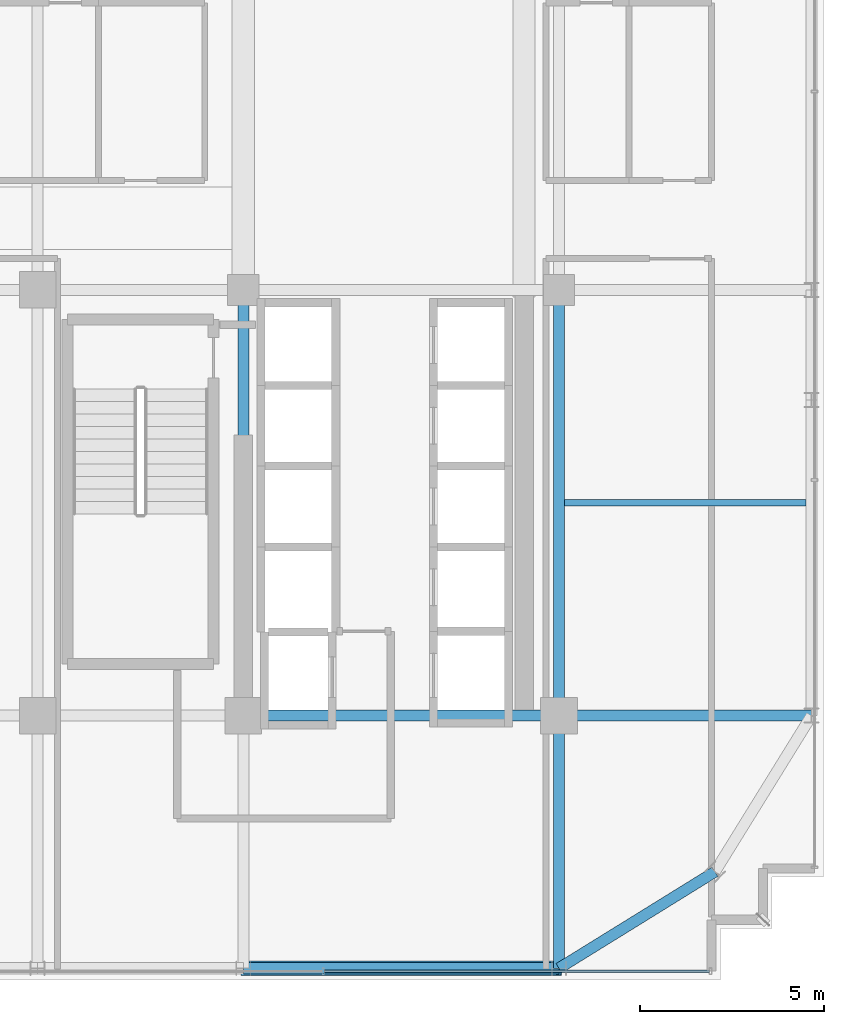
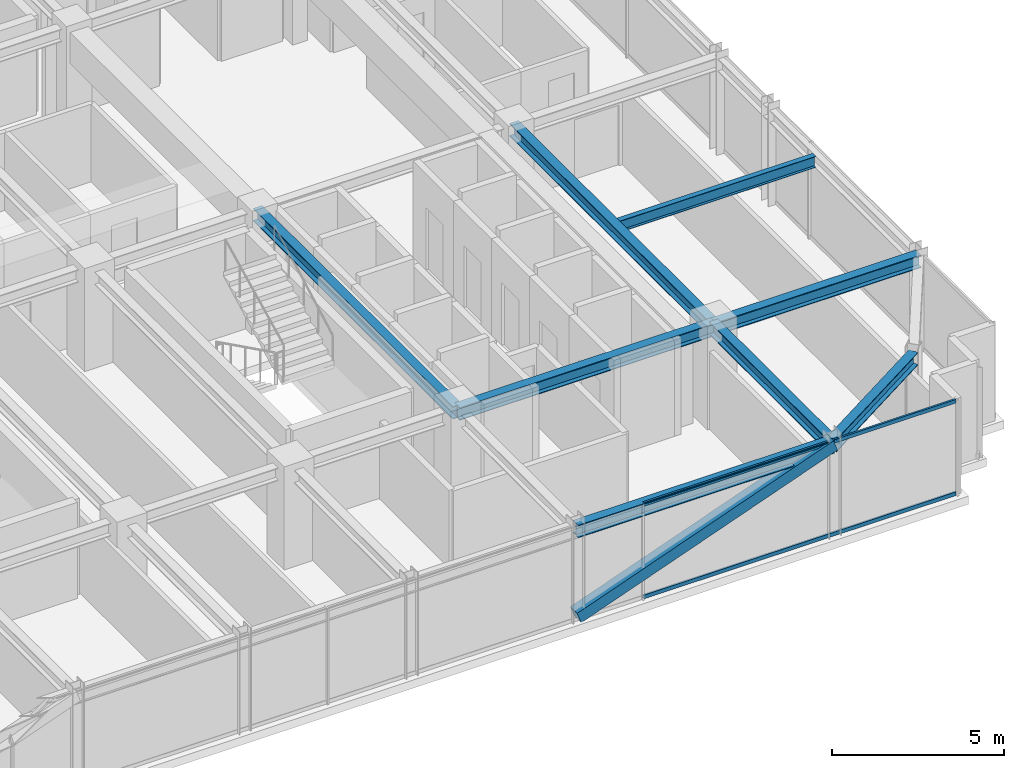
# One storey, part 13 of 41: 8 beams, 3 members, 1 element without a shape of its own.
"""IFC4 building model written with IfcOpenShell, lengths in metres."""

from ifc_helpers import new_model, si_unit, direction, frame, origin, origin_2d, place, context, subcontext, project, spatial, hollow_rectangle, i_section, extrude, source, transform, mapped, material, material_profile, profile_set, type_object, element, aggregate, save


model = new_model("IFC4")

# Units and contexts
model_context = context("Model", 3, precision=1e-05, world=origin(), true_north=direction((0.0, 1.0)))
body_context = subcontext(model_context, "Body", "Model", "MODEL_VIEW")
ifc_project = project(units=[si_unit("LENGTHUNIT", "METRE"), si_unit("AREAUNIT", "SQUARE_METRE"), si_unit("VOLUMEUNIT", "CUBIC_METRE"), si_unit("PLANEANGLEUNIT", "RADIAN"), si_unit("MASSUNIT", "GRAM", prefix="KILO")], contexts=[model_context])

# Site, building, storey
site_placement = place(None, origin())
site = spatial("IfcSite", under=ifc_project, at=site_placement, CompositionType="ELEMENT")
building_placement = place(site_placement, origin())
building = spatial("IfcBuilding", under=site, at=building_placement, Name="Nahalor Promenade Grand Hotel", CompositionType="ELEMENT")
storey_placement = place(building_placement, frame((0.0, 0.0, 227.10009765625)))
storey = spatial("IfcBuildingStorey", under=building, at=storey_placement, Name="L58", CompositionType="ELEMENT", Elevation=227.10009765625)

# Beams
ifc_material_1 = material(Name="Steel S355JR", Category="steel")
ifc_material_profile_1 = material_profile(ifc_material_1, i_section(OverallWidth=0.3, OverallDepth=0.45, WebThickness=0.014, FlangeThickness=0.026, at=origin_2d()), Name="HEB 450")
ifc_profile_set_1 = profile_set([ifc_material_profile_1], Name="Steel S355JR")
beam_type_1 = type_object("IfcBeamType", Name="Beam-Spandrel-HEB450", PredefinedType="SPANDREL", material=ifc_profile_set_1)
shared_shape_1 = source(origin(), body_context, "Body", "SweptSolid", [
    extrude(i_section(OverallWidth=0.3, OverallDepth=0.45, WebThickness=0.014, FlangeThickness=0.026, at=origin_2d()), origin(), (0.0, 0.0, 1.0), 8.60009765625),
])
beam_1_placement = place(storey_placement, frame((8.39990234375, -23.8798828125, 3.184814453125), z_axis=(1.0, 0.0, 0.0), x_axis=(0.0, 1.0, 0.0)))
element("IfcBeam", 1, at=beam_1_placement, inside=storey, type_object=beam_type_1, Name="BM-L58-SP-S-4", PredefinedType="SPANDREL", context=body_context, shape_type="MappedRepresentation", body=[
    mapped(shared_shape_1, transform((0.0, 0.0, 0.0), scale=1.0)),
])
shared_shape_2 = source(origin(), body_context, "Body", "SweptSolid", [
    extrude(i_section(OverallWidth=0.3, OverallDepth=0.45, WebThickness=0.014, FlangeThickness=0.026, at=origin_2d()), origin(), (0.0, 0.0, 1.0), 4.997802734375),
])
beam_2_placement = place(storey_placement, frame((17.0, -23.8798828125, 3.184814453125), z_axis=(0.850360908404, 0.526199891161, 0.0), x_axis=(-0.526199891161, 0.850360908404, 0.0)))
element("IfcBeam", 2, at=beam_2_placement, inside=storey, type_object=beam_type_1, Name="BM-L58-SPC-SE-1", PredefinedType="SPANDREL", context=body_context, shape_type="MappedRepresentation", body=[
    mapped(shared_shape_2, transform((0.0, 0.0, 0.0), scale=1.0)),
])
ifc_material_profile_2 = material_profile(ifc_material_1, i_section(OverallWidth=0.3, OverallDepth=0.45, WebThickness=0.014, FlangeThickness=0.026, at=origin_2d()), Name="HEB 450")
ifc_profile_set_2 = profile_set([ifc_material_profile_2], Name="Steel S355JR")
beam_type_2 = type_object("IfcBeamType", Name="Beam-Girder-HEB450", PredefinedType="BEAM", material=ifc_profile_set_2)
shared_shape_3 = source(origin(), body_context, "Body", "SweptSolid", [
    extrude(i_section(OverallWidth=0.3, OverallDepth=0.45, WebThickness=0.014, FlangeThickness=0.026, at=origin_2d()), origin(), (0.0, 0.0, 1.0), 6.8798828125),
])
for number, where, z_axis, x_axis, name in (
    (3, (17.0, -17.0, 3.184814453125), (1.0, 0.0, 0.0), (0.0, 1.0, 0.0), "BM-L58-GX-0-6"),
    (4, (17.0, -23.8798828125, 3.184814453125), (0.0, 1.0, 0.0), (-1.0, 0.0, 0.0), "BM-L58-GY-5-0"),
):
    element("IfcBeam", number, at=place(storey_placement, frame(where, z_axis=z_axis, x_axis=x_axis)), inside=storey, type_object=beam_type_2, Name=name, PredefinedType="BEAM", context=body_context, shape_type="MappedRepresentation", body=[
        mapped(shared_shape_3, transform((0.0, 0.0, 0.0), scale=1.0)),
    ])
shared_shape_4 = source(origin(), body_context, "Body", "SweptSolid", [
    extrude(i_section(OverallWidth=0.3, OverallDepth=0.45, WebThickness=0.014, FlangeThickness=0.026, at=origin_2d()), origin(), (0.0, 0.0, 1.0), 8.60009765625),
])
beam_3_placement = place(storey_placement, frame((8.39990234375, -17.0, 3.184814453125), z_axis=(1.0, 0.0, 0.0), x_axis=(0.0, 1.0, 0.0)))
element("IfcBeam", 5, at=beam_3_placement, inside=storey, type_object=beam_type_2, Name="BM-L58-GX-0-5", PredefinedType="BEAM", context=body_context, shape_type="MappedRepresentation", body=[
    mapped(shared_shape_4, transform((0.0, 0.0, 0.0), scale=1.0)),
])
shared_shape_5 = source(origin(), body_context, "Body", "SweptSolid", [
    extrude(i_section(OverallWidth=0.3, OverallDepth=0.45, WebThickness=0.014, FlangeThickness=0.026, at=origin_2d()), origin(), (0.0, 0.0, 1.0), 11.60009765625),
])
for number, where, z_axis, x_axis, name in (
    (6, (8.39990234375, -17.0, 3.184814453125), (0.0, 1.0, 0.0), (-1.0, 0.0, 0.0), "BM-L58-GY-4-1"),
    (7, (17.0, -17.0, 3.184814453125), (0.0, 1.0, 0.0), (-1.0, 0.0, 0.0), "BM-L58-GY-5-1"),
):
    element("IfcBeam", number, at=place(storey_placement, frame(where, z_axis=z_axis, x_axis=x_axis)), inside=storey, type_object=beam_type_2, Name=name, PredefinedType="BEAM", context=body_context, shape_type="MappedRepresentation", body=[
        mapped(shared_shape_5, transform((0.0, 0.0, 0.0), scale=1.0)),
    ])
ifc_material_profile_3 = material_profile(ifc_material_1, i_section(OverallWidth=0.18, OverallDepth=0.4, WebThickness=0.0086, FlangeThickness=0.0135, at=origin_2d()), Name="IPE 400")
ifc_profile_set_3 = profile_set([ifc_material_profile_3], Name="Steel S355JR")
beam_type_3 = type_object("IfcBeamType", Name="Beam-Joist-IPE400", PredefinedType="JOIST", material=ifc_profile_set_3)
shared_shape_6 = source(origin(), body_context, "Body", "SweptSolid", [
    extrude(i_section(OverallWidth=0.18, OverallDepth=0.4, WebThickness=0.0086, FlangeThickness=0.0135, at=origin_2d()), origin(), (0.0, 0.0, 1.0), 6.580078125),
])
beam_4_placement = place(storey_placement, frame((17.14990234375, -11.199951171875, 3.2099609375), z_axis=(1.0, 0.0, 0.0), x_axis=(0.0, 1.0, 0.0)))
element("IfcBeam", 8, at=beam_4_placement, inside=storey, type_object=beam_type_3, Name="BM-L58-JSE-0-2", PredefinedType="JOIST", context=body_context, shape_type="MappedRepresentation", body=[
    mapped(shared_shape_6, transform((0.0, 0.0, 0.0), scale=1.0)),
])

# Member
ifc_material_profile_4 = material_profile(ifc_material_1, hollow_rectangle(XDim=0.4, YDim=0.4, WallThickness=0.022, at=origin_2d()), Name="SHS 400x400x22")
ifc_profile_set_4 = profile_set([ifc_material_profile_4], Name="Steel S355JR")
member_type_1 = type_object("IfcMemberType", Name="Mem-ExoBrace-SHS400", PredefinedType="BRACE", material=ifc_profile_set_4)
shared_shape_7 = source(origin(), body_context, "Body", "SweptSolid", [
    extrude(hollow_rectangle(XDim=0.4, YDim=0.4, WallThickness=0.022, at=origin_2d()), origin(), (0.0, 0.0, 1.0), 9.145263671875),
])
member_1_placement = place(storey_placement, frame((8.39990234375, -23.8798828125, 0.14990234375), z_axis=(0.940396027132, 0.0, 0.340081331676), x_axis=(0.0, 1.0, 0.0)))
element("IfcMember", 9, at=member_1_placement, inside=storey, type_object=member_type_1, Name="EXO-L58-S-1", PredefinedType="BRACE", context=body_context, shape_type="MappedRepresentation", body=[
    mapped(shared_shape_7, transform((0.0, 0.0, 0.0), scale=1.0)),
])

# Curtain wall, members
ifc_material_2 = material(Name="Anodised Bronze Aluminium EN AW-6063 T6", Category="aluminium")
curtain_wall_type = type_object("IfcCurtainWallType", Name="CW2 Typical Hotel Flush Bronze Unitised Curtain Wall", PredefinedType="USERDEFINED", material=ifc_material_2)
curtain_wall_placement = place(storey_placement, origin())
curtain_wall = element("IfcCurtainWall", 10, at=curtain_wall_placement, inside=storey, type_object=curtain_wall_type, Name="L58 Curtain Wall CW-L58-S-1", ObjectType="UNITISED_CURTAIN_WALL", PredefinedType="USERDEFINED")
ifc_material_profile_5 = material_profile(ifc_material_2, hollow_rectangle(XDim=0.065, YDim=0.13, WallThickness=0.004, at=origin_2d()), Name="CWT 65x130x4")
ifc_profile_set_5 = profile_set([ifc_material_profile_5], Name="Anodised Bronze Aluminium EN AW-6063 T6")
member_type_2 = type_object("IfcMemberType", Name="CWT2 Typical Bronze Transom 65x130", PredefinedType="USERDEFINED", material=ifc_profile_set_5)
shared_shape_8 = source(origin(), body_context, "Body", "SweptSolid", [
    extrude(hollow_rectangle(XDim=0.065, YDim=0.13, WallThickness=0.004, at=origin_2d()), origin(), (0.0, 0.0, 1.0), 10.482421875),
])
member_2_placement = place(storey_placement, frame((10.612548828125, -23.9599609375, 0.06494140625), z_axis=(1.0, 0.0, 0.0), x_axis=(0.0, 1.0, 0.0)))
member_2 = element("IfcMember", 11, at=member_2_placement, type_object=member_type_2, Name="CW-L58-S-1 Transom 3-0", ObjectType="TRANSOM", PredefinedType="USERDEFINED", context=body_context, shape_type="MappedRepresentation", body=[
    mapped(shared_shape_8, transform((0.0, 0.0, 0.0), scale=1.0)),
])
member_3_placement = place(storey_placement, frame((10.612548828125, -23.9599609375, 3.344970703125), z_axis=(1.0, 0.0, 0.0), x_axis=(0.0, 1.0, 0.0)))
member_3 = element("IfcMember", 12, at=member_3_placement, type_object=member_type_2, Name="CW-L58-S-1 Transom 3-1", ObjectType="TRANSOM", PredefinedType="USERDEFINED", context=body_context, shape_type="MappedRepresentation", body=[
    mapped(shared_shape_8, transform((0.0, 0.0, 0.0), scale=1.0)),
])
aggregate(curtain_wall, [member_2, member_3])

save(model, "model.ifc")
